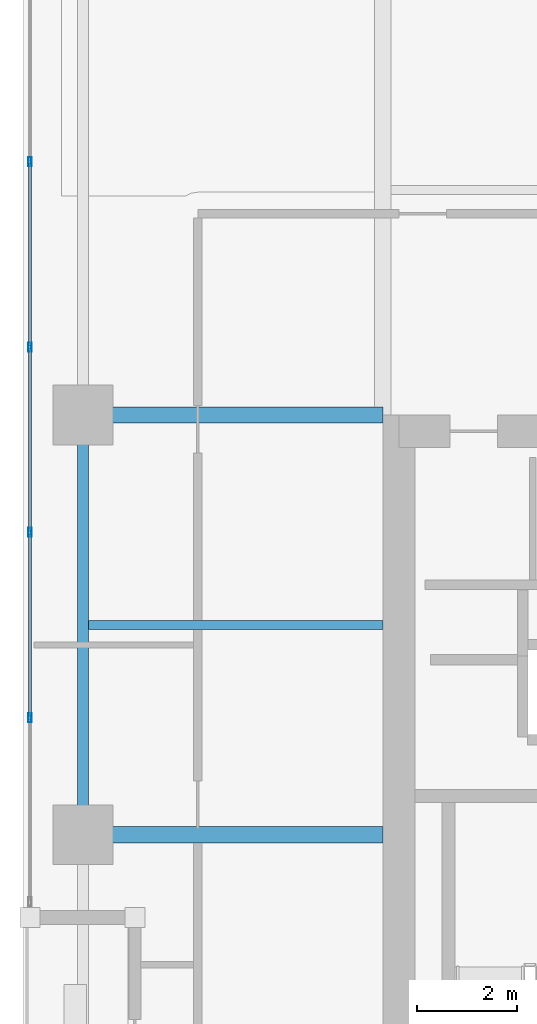
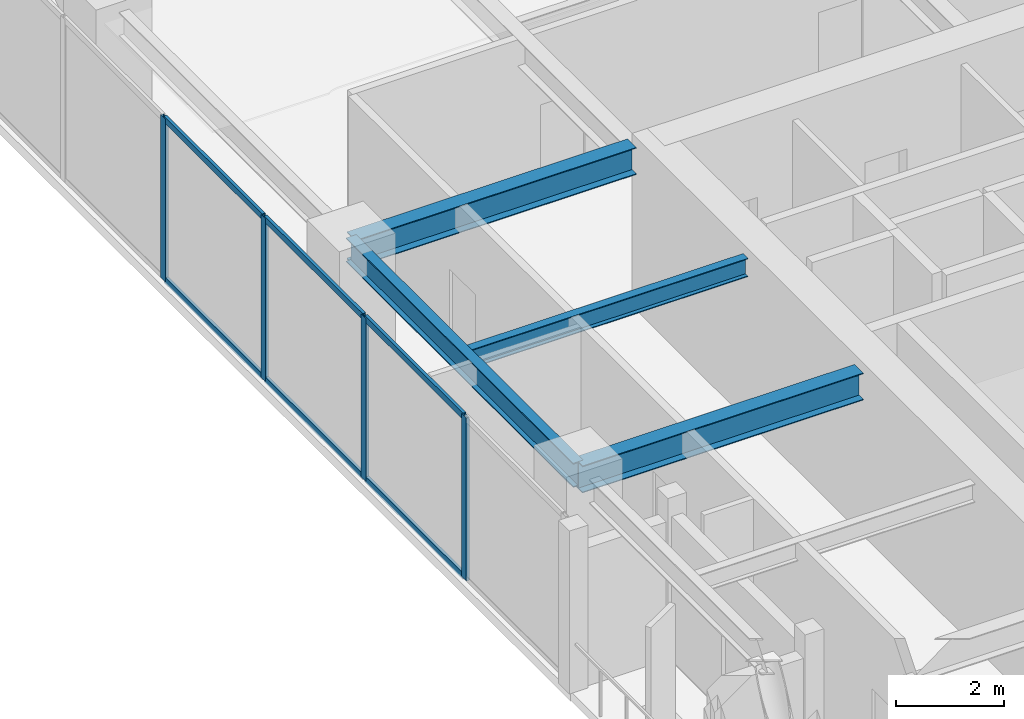
# One storey, part 4 of 21: 10 members, 4 beams, 1 element without a shape of its own.
"""IFC4 building model written with IfcOpenShell, lengths in metres."""

from ifc_helpers import new_model, si_unit, direction, frame, origin, origin_2d, place, context, subcontext, project, spatial, hollow_rectangle, i_section, extrude, material, layer, layer_set, material_profile, profile_set, type_object, element, aggregate, save


model = new_model("IFC4")

# Units and contexts
model_context = context("Model", 3, precision=1e-05, world=origin(), true_north=direction((0.0, 1.0)))
body_context = subcontext(model_context, "Body", "Model", "MODEL_VIEW")
ifc_project = project(units=[si_unit("LENGTHUNIT", "METRE"), si_unit("AREAUNIT", "SQUARE_METRE"), si_unit("VOLUMEUNIT", "CUBIC_METRE"), si_unit("PLANEANGLEUNIT", "RADIAN"), si_unit("MASSUNIT", "GRAM", prefix="KILO")], contexts=[model_context])

# Site, building, storey
site_placement = place(None, origin())
site = spatial("IfcSite", under=ifc_project, at=site_placement, CompositionType="ELEMENT")
building_placement = place(site_placement, origin())
building = spatial("IfcBuilding", under=site, at=building_placement, Name="Kiyonajd Concourse Tower", CompositionType="ELEMENT")
storey_placement = place(building_placement, frame((0.0, 0.0, 219.300048828125)))
storey = spatial("IfcBuildingStorey", under=building, at=storey_placement, Name="L55", CompositionType="ELEMENT", Elevation=219.300048828125)

# Beams
ifc_material_1 = material(Name="Steel ASTM A992 Grade 50", Category="steel")
ifc_material_profile_1 = material_profile(ifc_material_1, i_section(OverallWidth=0.180908203125, OverallDepth=0.4169921875, WebThickness=0.010986328125, FlangeThickness=0.018310546875, at=origin_2d()), Name="W410X85")
ifc_profile_set_1 = profile_set([ifc_material_profile_1], Name="Steel ASTM A992 Grade 50")
beam_type_1 = type_object("IfcBeamType", Name="BM-JST-410", PredefinedType="JOIST", material=ifc_profile_set_1)
beam_1_placement = place(storey_placement, frame((26.507080078125, 40.199951171875, 3.471435546875), z_axis=(1.0, 0.0, 0.0), x_axis=(0.0, 1.0, 0.0)))
element("IfcBeam", 1, at=beam_1_placement, inside=storey, type_object=beam_type_1, Name="L55 West Secondary Floor Joist", PredefinedType="JOIST", context=body_context, shape_type="SweptSolid", body=[
    extrude(i_section(OverallWidth=0.180908203125, OverallDepth=0.4169921875, WebThickness=0.010986328125, FlangeThickness=0.018310546875, at=origin_2d()), origin(), (0.0, 0.0, 1.0), 5.892822265625),
])
ifc_material_profile_2 = material_profile(ifc_material_1, i_section(OverallWidth=0.214111328125, OverallDepth=0.549072265625, WebThickness=0.0146484375, FlangeThickness=0.023681640625, at=origin_2d()), Name="W530X138")
ifc_profile_set_2 = profile_set([ifc_material_profile_2], Name="Steel ASTM A992 Grade 50")
beam_type_2 = type_object("IfcBeamType", Name="BM-SPAN-530A", PredefinedType="SPANDREL", material=ifc_profile_set_2)
beam_2_placement = place(storey_placement, frame((26.39990234375, 44.39990234375, 3.405517578125), z_axis=(0.0, -1.0, 0.0), x_axis=(1.0, 0.0, 0.0)))
element("IfcBeam", 2, at=beam_2_placement, inside=storey, type_object=beam_type_2, Name="L55 Perimeter Bundled Tube Spandrel", PredefinedType="SPANDREL", context=body_context, shape_type="SweptSolid", body=[
    extrude(i_section(OverallWidth=0.214111328125, OverallDepth=0.549072265625, WebThickness=0.0146484375, FlangeThickness=0.023681640625, at=origin_2d()), origin(), (0.0, 0.0, 1.0), 8.39990234375),
])
ifc_material_profile_3 = material_profile(ifc_material_1, i_section(OverallWidth=0.323974609375, OverallDepth=0.611083984375, WebThickness=0.0126953125, FlangeThickness=0.01904296875, at=origin_2d()), Name="W610X155")
ifc_profile_set_3 = profile_set([ifc_material_profile_3], Name="Steel ASTM A992 Grade 50")
beam_type_3 = type_object("IfcBeamType", Name="BM-TWR-610B", PredefinedType="BEAM", material=ifc_profile_set_3)
for number, where, z_axis, x_axis, name in (
    (3, (26.39990234375, 36.0, 3.37451171875), (1.0, 0.0, 0.0), (0.0, 1.0, 0.0), "L55 West Lease Girder"),
    (4, (26.39990234375, 44.39990234375, 3.37451171875), (1.0, 0.0, 0.0), (0.0, 1.0, 0.0), "L55 West Lease Girder"),
):
    element("IfcBeam", number, at=place(storey_placement, frame(where, z_axis=z_axis, x_axis=x_axis)), inside=storey, type_object=beam_type_3, Name=name, PredefinedType="BEAM", context=body_context, shape_type="SweptSolid", body=[
        extrude(i_section(OverallWidth=0.323974609375, OverallDepth=0.611083984375, WebThickness=0.0126953125, FlangeThickness=0.01904296875, at=origin_2d()), origin(), (0.0, 0.0, 1.0), 6.0),
    ])

# Curtain wall, members
ifc_material_2 = material(Name="Thermally Broken Anodised Aluminium", Category="aluminium")
ifc_layer = layer(ifc_material_2, 0.179931640625)
ifc_layer_set = layer_set([ifc_layer], Name="Thermally Broken Anodised Aluminium")
curtain_wall_type = type_object("IfcCurtainWallType", Name="CW-SYS-04", PredefinedType="NOTDEFINED", material=ifc_layer_set)
curtain_wall_placement = place(storey_placement, origin())
curtain_wall = element("IfcCurtainWall", 5, at=curtain_wall_placement, inside=storey, type_object=curtain_wall_type, Name="L55 Unitised Curtain Wall CW4", PredefinedType="NOTDEFINED")
ifc_material_profile_4 = material_profile(ifc_material_2, hollow_rectangle(XDim=0.06494140625, YDim=0.179931640625, WallThickness=0.00390625, at=origin_2d()), Name="MULL-65x180")
ifc_profile_set_4 = profile_set([ifc_material_profile_4], Name="Thermally Broken Anodised Aluminium")
member_type_1 = type_object("IfcMemberType", Name="MB-CW-MULL1", PredefinedType="MULLION", material=ifc_profile_set_4)
member_1_placement = place(storey_placement, frame((25.340087890625, 38.34033203125, 0.0), z_axis=(0.0, 0.0, 1.0), x_axis=(-1.0, 0.0, 0.0)))
member_1 = element("IfcMember", 6, at=member_1_placement, type_object=member_type_1, Name="CW4 mullion 2", PredefinedType="MULLION", context=body_context, shape_type="SweptSolid", body=[
    extrude(hollow_rectangle(XDim=0.06494140625, YDim=0.179931640625, WallThickness=0.00390625, at=origin_2d()), origin(), (0.0, 0.0, 1.0), 3.679931640625),
])
member_2_placement = place(storey_placement, frame((25.340087890625, 42.050537109375, 0.0), z_axis=(0.0, 0.0, 1.0), x_axis=(-1.0, 0.0, 0.0)))
member_2 = element("IfcMember", 7, at=member_2_placement, type_object=member_type_1, Name="CW4 mullion 3", PredefinedType="MULLION", context=body_context, shape_type="SweptSolid", body=[
    extrude(hollow_rectangle(XDim=0.06494140625, YDim=0.179931640625, WallThickness=0.00390625, at=origin_2d()), origin(), (0.0, 0.0, 1.0), 3.679931640625),
])
member_3_placement = place(storey_placement, frame((25.340087890625, 45.7607421875, 0.0), z_axis=(0.0, 0.0, 1.0), x_axis=(-1.0, 0.0, 0.0)))
member_3 = element("IfcMember", 8, at=member_3_placement, type_object=member_type_1, Name="CW4 mullion 4", PredefinedType="MULLION", context=body_context, shape_type="SweptSolid", body=[
    extrude(hollow_rectangle(XDim=0.06494140625, YDim=0.179931640625, WallThickness=0.00390625, at=origin_2d()), origin(), (0.0, 0.0, 1.0), 3.679931640625),
])
member_4_placement = place(storey_placement, frame((25.340087890625, 49.470947265625, 0.0), z_axis=(0.0, 0.0, 1.0), x_axis=(-1.0, 0.0, 0.0)))
member_4 = element("IfcMember", 9, at=member_4_placement, type_object=member_type_1, Name="CW4 mullion 5", PredefinedType="MULLION", context=body_context, shape_type="SweptSolid", body=[
    extrude(hollow_rectangle(XDim=0.06494140625, YDim=0.179931640625, WallThickness=0.00390625, at=origin_2d()), origin(), (0.0, 0.0, 1.0), 3.679931640625),
])
ifc_material_profile_5 = material_profile(ifc_material_2, hollow_rectangle(XDim=0.06494140625, YDim=0.139892578125, WallThickness=0.00390625, at=origin_2d()), Name="TRAN-65x140")
ifc_profile_set_5 = profile_set([ifc_material_profile_5], Name="Thermally Broken Anodised Aluminium")
member_type_2 = type_object("IfcMemberType", Name="MB-CW-TRAN1", PredefinedType="USERDEFINED", material=ifc_profile_set_5)
member_5_placement = place(storey_placement, frame((25.340087890625, 38.372802734375, 0.032470703125), z_axis=(0.0, 1.0, 0.0), x_axis=(-1.0, 0.0, 0.0)))
member_5 = element("IfcMember", 10, at=member_5_placement, type_object=member_type_2, Name="CW4 transom 2.1", ObjectType="TRANSOM", PredefinedType="USERDEFINED", context=body_context, shape_type="SweptSolid", body=[
    extrude(hollow_rectangle(XDim=0.06494140625, YDim=0.139892578125, WallThickness=0.00390625, at=origin_2d()), origin(), (0.0, 0.0, 1.0), 3.645263671875),
])
member_6_placement = place(storey_placement, frame((25.340087890625, 38.372802734375, 3.6474609375), z_axis=(0.0, 1.0, 0.0), x_axis=(-1.0, 0.0, 0.0)))
member_6 = element("IfcMember", 11, at=member_6_placement, type_object=member_type_2, Name="CW4 transom 2.2", ObjectType="TRANSOM", PredefinedType="USERDEFINED", context=body_context, shape_type="SweptSolid", body=[
    extrude(hollow_rectangle(XDim=0.06494140625, YDim=0.139892578125, WallThickness=0.00390625, at=origin_2d()), origin(), (0.0, 0.0, 1.0), 3.645263671875),
])
member_7_placement = place(storey_placement, frame((25.340087890625, 42.0830078125, 0.032470703125), z_axis=(0.0, 1.0, 0.0), x_axis=(-1.0, 0.0, 0.0)))
member_7 = element("IfcMember", 12, at=member_7_placement, type_object=member_type_2, Name="CW4 transom 3.1", ObjectType="TRANSOM", PredefinedType="USERDEFINED", context=body_context, shape_type="SweptSolid", body=[
    extrude(hollow_rectangle(XDim=0.06494140625, YDim=0.139892578125, WallThickness=0.00390625, at=origin_2d()), origin(), (0.0, 0.0, 1.0), 3.645263671875),
])
member_8_placement = place(storey_placement, frame((25.340087890625, 42.0830078125, 3.6474609375), z_axis=(0.0, 1.0, 0.0), x_axis=(-1.0, 0.0, 0.0)))
member_8 = element("IfcMember", 13, at=member_8_placement, type_object=member_type_2, Name="CW4 transom 3.2", ObjectType="TRANSOM", PredefinedType="USERDEFINED", context=body_context, shape_type="SweptSolid", body=[
    extrude(hollow_rectangle(XDim=0.06494140625, YDim=0.139892578125, WallThickness=0.00390625, at=origin_2d()), origin(), (0.0, 0.0, 1.0), 3.645263671875),
])
member_9_placement = place(storey_placement, frame((25.340087890625, 45.793212890625, 0.032470703125), z_axis=(0.0, 1.0, 0.0), x_axis=(-1.0, 0.0, 0.0)))
member_9 = element("IfcMember", 14, at=member_9_placement, type_object=member_type_2, Name="CW4 transom 4.1", ObjectType="TRANSOM", PredefinedType="USERDEFINED", context=body_context, shape_type="SweptSolid", body=[
    extrude(hollow_rectangle(XDim=0.06494140625, YDim=0.139892578125, WallThickness=0.00390625, at=origin_2d()), origin(), (0.0, 0.0, 1.0), 3.645263671875),
])
member_10_placement = place(storey_placement, frame((25.340087890625, 45.793212890625, 3.6474609375), z_axis=(0.0, 1.0, 0.0), x_axis=(-1.0, 0.0, 0.0)))
member_10 = element("IfcMember", 15, at=member_10_placement, type_object=member_type_2, Name="CW4 transom 4.2", ObjectType="TRANSOM", PredefinedType="USERDEFINED", context=body_context, shape_type="SweptSolid", body=[
    extrude(hollow_rectangle(XDim=0.06494140625, YDim=0.139892578125, WallThickness=0.00390625, at=origin_2d()), origin(), (0.0, 0.0, 1.0), 3.645263671875),
])
aggregate(curtain_wall, [member_1, member_2, member_3, member_4, member_5, member_6, member_7, member_8, member_9, member_10])

save(model, "model.ifc")
